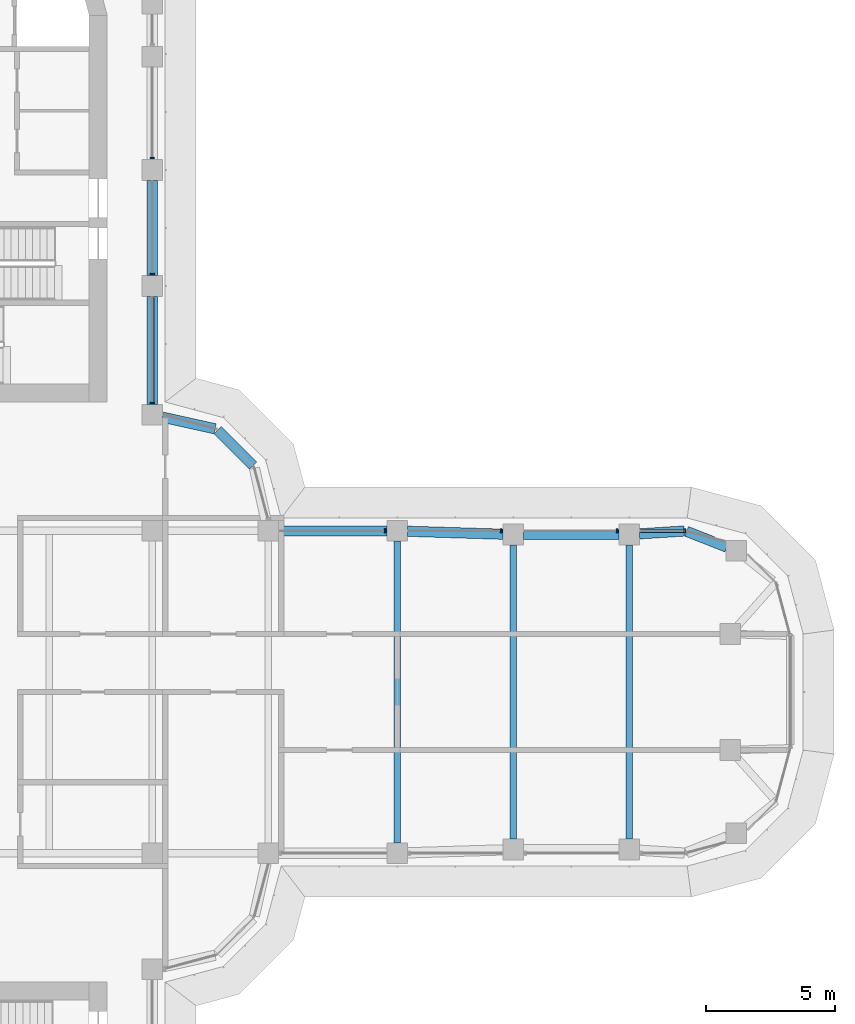
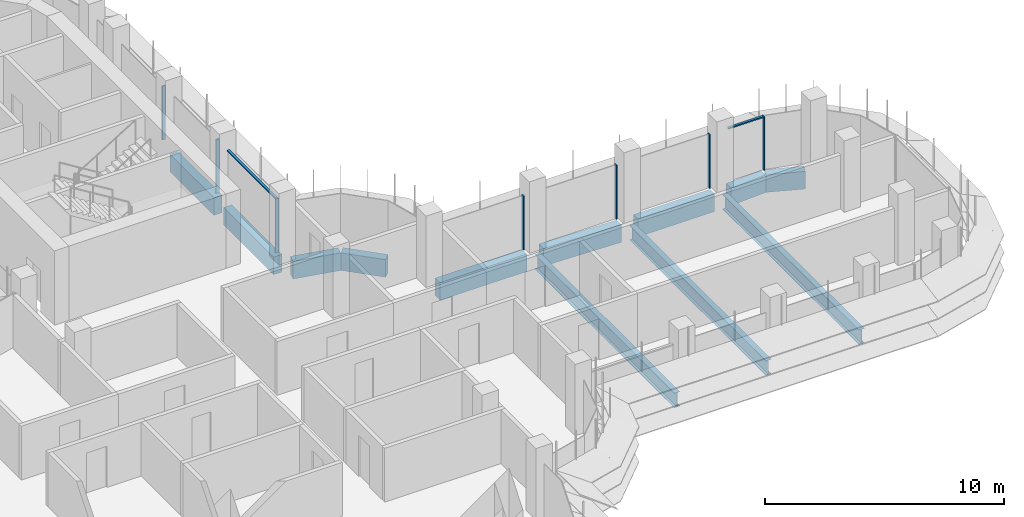
# One storey, part 8 of 19: 12 beams, 9 members, 2 elements without a shape of their own.
"""IFC4 building model written with IfcOpenShell, lengths in metres."""

import ifcopenshell
import ifcopenshell.guid

model = None  # the IFC model being written
_history = None  # IfcOwnerHistory: only IFC2X3 demands one
_inside = {}  # id of a spatial element -> (the spatial element, [elements in it])
_under = {}  # id of a project, library or spatial element -> (it, [spatial elements below it])
_declared = {}  # id of a project -> (the project, [libraries it declares])
_typed = {}  # id of a type object -> (the type object, [elements of that type])
_made_of = {}  # id of a material, layer set ... -> (it, [elements and type objects made of it])


def new_model(schema):
    """Start an empty IFC model of exactly this schema.

    Asked for "IFC4X3", IfcOpenShell would pick the latest addendum, in which some entities
    have other attributes; the version numbers below select the first issue.
    IFC2X3 requires an IfcOwnerHistory on every rooted entity: one is made here for all.
    """
    global model, _history
    if schema == "IFC4X3":
        model = ifcopenshell.file(schema_version=(4, 3, 0, 0))
    else:
        model = ifcopenshell.file(schema=schema)
    _inside.clear()
    _under.clear()
    _declared.clear()
    _typed.clear()
    _made_of.clear()
    _history = None
    if model.schema == "IFC2X3":
        org = make("IfcOrganization", Name="unknown")
        user = make(
            "IfcPersonAndOrganization",
            ThePerson=make("IfcPerson", FamilyName="unknown"),
            TheOrganization=org,
        )
        app = make(
            "IfcApplication",
            ApplicationDeveloper=org,
            Version="unknown",
            ApplicationFullName="unknown",
            ApplicationIdentifier="unknown",
        )
        _history = make(
            "IfcOwnerHistory",
            OwningUser=user,
            OwningApplication=app,
            ChangeAction="ADDED",
            CreationDate=0,
        )
    return model


def make(cls, **values):
    """One entity of the class cls with the attributes given. An attribute that is None is left unset."""
    return model.create_entity(
        cls, **{name: value for name, value in values.items() if value is not None}
    )


def rooted(cls, **values):
    """An entity with a GlobalId (a new one), such as an element, a storey or a relation."""
    return make(cls, GlobalId=ifcopenshell.guid.new(), OwnerHistory=_history, **values)


def si_unit(unit_type, name, prefix=None):
    """IfcSIUnit, for example si_unit("LENGTHUNIT", "METRE", prefix="MILLI")."""
    return make("IfcSIUnit", UnitType=unit_type, Prefix=prefix, Name=name)


def assignment(units):
    """IfcUnitAssignment: the units of a project."""
    return None if units is None else make("IfcUnitAssignment", Units=units)


def point(xyz):
    """IfcCartesianPoint."""
    return None if xyz is None else make("IfcCartesianPoint", Coordinates=xyz)


def direction(xyz):
    """IfcDirection."""
    return None if xyz is None else make("IfcDirection", DirectionRatios=xyz)


def frame(location, z_axis=None, x_axis=None):
    """IfcAxis2Placement3D, a coordinate frame: its origin and axes. An axis left out is left unset."""
    return make(
        "IfcAxis2Placement3D",
        Location=point(location),
        Axis=direction(z_axis),
        RefDirection=direction(x_axis),
    )


def frame_2d(location, x_axis=None):
    """IfcAxis2Placement2D, a coordinate frame in the plane: its origin and x axis."""
    return make(
        "IfcAxis2Placement2D", Location=point(location), RefDirection=direction(x_axis)
    )


def origin():
    """The frame at (0, 0, 0) with its axes left unset."""
    return frame((0.0, 0.0, 0.0))


def origin_2d():
    """The frame at (0, 0) in the plane with its x axis left unset."""
    return frame_2d((0.0, 0.0))


def place(relative_to, where):
    """IfcLocalPlacement: puts the frame where relative to a parent placement (None: the world)."""
    return make(
        "IfcLocalPlacement", PlacementRelTo=relative_to, RelativePlacement=where
    )


def context(
    kind, dimensions, precision=None, world=None, true_north=None, identifier=None
):
    """IfcGeometricRepresentationContext, for example the 3D "Model" context."""
    return make(
        "IfcGeometricRepresentationContext",
        ContextIdentifier=identifier,
        ContextType=kind,
        CoordinateSpaceDimension=dimensions,
        Precision=precision,
        WorldCoordinateSystem=world,
        TrueNorth=true_north,
    )


def subcontext(parent, identifier, kind, view, scale=None):
    """IfcGeometricRepresentationSubContext, for example "Body" below "Model"."""
    return make(
        "IfcGeometricRepresentationSubContext",
        ContextIdentifier=identifier,
        ContextType=kind,
        ParentContext=parent,
        TargetScale=scale,
        TargetView=view,
    )


def project(units=None, contexts=None):
    """IfcProject with its units and contexts."""
    return rooted(
        "IfcProject",
        Name="project",
        RepresentationContexts=contexts,
        UnitsInContext=assignment(units),
    )


def spatial(cls, under=None, at=None, **own):
    """A site, building, storey or space (cls), placed at a placement, below another one or the project."""
    s = rooted(cls, ObjectPlacement=at, **own)
    if under is not None:
        _under.setdefault(under.id(), (under, []))[1].append(s)
    return s


def polyline(points):
    """IfcPolyline through the points."""
    return make("IfcPolyline", Points=[point(p) for p in points])


def profile(cls, at=None, kind="AREA", **sizes):
    """A parametric profile (cls). Its sizes go by their IFC names, for example OverallWidth=200.0."""
    return make(cls, ProfileType=kind, Position=at, **sizes)


def rectangle(**sizes):
    """IfcRectangleProfileDef."""
    return profile("IfcRectangleProfileDef", **sizes)


def i_section(**sizes):
    """IfcIShapeProfileDef."""
    return profile("IfcIShapeProfileDef", **sizes)


def outline(outer, holes=None, kind="AREA"):
    """IfcArbitraryClosedProfileDef: a profile drawn as a closed curve; with holes, ...WithVoids."""
    if holes is None:
        return make("IfcArbitraryClosedProfileDef", ProfileType=kind, OuterCurve=outer)
    return make(
        "IfcArbitraryProfileDefWithVoids",
        ProfileType=kind,
        OuterCurve=outer,
        InnerCurves=holes,
    )


def extrude(swept, where, along, depth):
    """IfcExtrudedAreaSolid: the profile swept, set in the frame where, extruded along a direction by depth."""
    return make(
        "IfcExtrudedAreaSolid",
        SweptArea=swept,
        Position=where,
        ExtrudedDirection=direction(along),
        Depth=depth,
    )


def shape(context_of_items, identifier, shape_type, items):
    """IfcShapeRepresentation: the items that make up one representation, for example the "Body"."""
    return make(
        "IfcShapeRepresentation",
        ContextOfItems=context_of_items,
        RepresentationIdentifier=identifier,
        RepresentationType=shape_type,
        Items=items,
    )


def source(mapping_origin, context_of_items, identifier, shape_type, items):
    """IfcRepresentationMap: a shape defined once, which mapped items show again and again."""
    return make(
        "IfcRepresentationMap",
        MappingOrigin=mapping_origin,
        MappedRepresentation=shape(context_of_items, identifier, shape_type, items),
    )


def transform(
    local_origin,
    x_axis=None,
    y_axis=None,
    z_axis=None,
    scale=None,
    scale2=None,
    scale3=None,
    uniform=True,
):
    """IfcCartesianTransformationOperator3D, or its non-uniform kind. x_axis, y_axis, z_axis: its Axis1, 2, 3."""
    if uniform:
        return make(
            "IfcCartesianTransformationOperator3D",
            Axis1=direction(x_axis),
            Axis2=direction(y_axis),
            LocalOrigin=point(local_origin),
            Scale=scale,
            Axis3=direction(z_axis),
        )
    return make(
        "IfcCartesianTransformationOperator3DnonUniform",
        Axis1=direction(x_axis),
        Axis2=direction(y_axis),
        LocalOrigin=point(local_origin),
        Scale=scale,
        Axis3=direction(z_axis),
        Scale2=scale2,
        Scale3=scale3,
    )


def mapped(mapping_source, mapping_target):
    """IfcMappedItem: shows the shape of a source again, moved by a transform."""
    return make(
        "IfcMappedItem", MappingSource=mapping_source, MappingTarget=mapping_target
    )


def material(Name=None, Category=None):
    """IfcMaterial."""
    return make("IfcMaterial", Name=Name, Category=Category)


def material_profile(
    of_material, cross_section, Name=None, Category=None, Priority=None
):
    """IfcMaterialProfile: a cross section and its material."""
    return make(
        "IfcMaterialProfile",
        Name=Name,
        Material=of_material,
        Profile=cross_section,
        Priority=Priority,
        Category=Category,
    )


def profile_set(profiles, Name=None, composite=None):
    """IfcMaterialProfileSet."""
    return make(
        "IfcMaterialProfileSet",
        Name=Name,
        MaterialProfiles=profiles,
        CompositeProfile=composite,
    )


def made_of(thing, what):
    """Note that an element or type object is made of a material, layer set ...; save() writes the relation."""
    if what is not None:
        _made_of.setdefault(what.id(), (what, []))[1].append(thing)
    return thing


def type_object(cls, material=None, **own):
    """A type object (cls), such as IfcWallType, which elements share."""
    return made_of(rooted(cls, **own), material)


def element(
    cls,
    number,
    at=None,
    inside=None,
    cuts=None,
    type_object=None,
    material=None,
    context=None,
    identifier="Body",
    shape_type=None,
    held_by="IfcProductDefinitionShape",
    body=None,
    shapes=None,
    **own,
):
    """One element of the class cls, such as IfcWall. Its Tag is "e" and its number.

    at: its placement. inside: the storey or other place that contains it. cuts: it is an
    opening in that element (IfcRelVoidsElement). A single representation is given by context,
    identifier, shape_type and body (its items); several are given by shapes. held_by: the class
    of the entity that holds the representations. save() writes the other relations.
    """
    e = rooted(cls, Tag="e%d" % number, ObjectPlacement=at, **own)
    if body is not None:
        shapes = [shape(context, identifier, shape_type, body)]
    if shapes is not None:
        e.Representation = make(held_by, Representations=shapes)
    if inside is not None:
        _inside.setdefault(inside.id(), (inside, []))[1].append(e)
    if cuts is not None:
        rooted(
            "IfcRelVoidsElement", RelatingBuildingElement=cuts, RelatedOpeningElement=e
        )
    if type_object is not None:
        _typed.setdefault(type_object.id(), (type_object, []))[1].append(e)
    return made_of(e, material)


def aggregate(whole, parts):
    """IfcRelAggregates: a whole, such as a stair, and the parts it consists of."""
    return rooted("IfcRelAggregates", RelatingObject=whole, RelatedObjects=parts)


def save(model, path):
    """Write the relations noted so far, then the file.

    IfcRelAggregates (storeys below a building ...), IfcRelContainedInSpatialStructure (elements
    in a storey), IfcRelDefinesByType, IfcRelAssociatesMaterial and IfcRelDeclares: one each for
    every whole, place, type object, material and project.
    """
    for whole, parts in _under.values():
        aggregate(whole, parts)
    for where, things in _inside.values():
        rooted(
            "IfcRelContainedInSpatialStructure",
            RelatedElements=things,
            RelatingStructure=where,
        )
    for kind, things in _typed.values():
        rooted("IfcRelDefinesByType", RelatedObjects=things, RelatingType=kind)
    for what, things in _made_of.values():
        rooted("IfcRelAssociatesMaterial", RelatedObjects=things, RelatingMaterial=what)
    for by, libraries in _declared.values():
        rooted("IfcRelDeclares", RelatingContext=by, RelatedDefinitions=libraries)
    model.write(path)


model = new_model("IFC4")

# Units and contexts
model_context = context("Model", 3, precision=1e-05, world=origin(), true_north=direction((0.0, 1.0)))
body_context = subcontext(model_context, "Body", "Model", "MODEL_VIEW")
ifc_project = project(units=[si_unit("LENGTHUNIT", "METRE"), si_unit("AREAUNIT", "SQUARE_METRE"), si_unit("VOLUMEUNIT", "CUBIC_METRE"), si_unit("PLANEANGLEUNIT", "RADIAN"), si_unit("MASSUNIT", "GRAM", prefix="KILO")], contexts=[model_context])

# Site, building, storey
site_placement = place(None, origin())
site = spatial("IfcSite", under=ifc_project, at=site_placement, CompositionType="ELEMENT")
building_placement = place(site_placement, origin())
building = spatial("IfcBuilding", under=site, at=building_placement, Name="Zarbagh Exchange Tower", CompositionType="ELEMENT")
storey_placement = place(building_placement, frame((0.0, 0.0, 182.800048828125)))
storey = spatial("IfcBuildingStorey", under=building, at=storey_placement, Name="L44", CompositionType="ELEMENT", Elevation=182.800048828125)

# Beams
ifc_material_1 = material(Name="Steel ASTM A992 Gr 50", Category="steel")
ifc_material_profile_1 = material_profile(ifc_material_1, i_section(OverallWidth=0.26416015625, OverallDepth=0.749267578125, WebThickness=0.011962890625, FlangeThickness=0.015380859375, at=origin_2d()), Name="W30X90")
ifc_profile_set_1 = profile_set([ifc_material_profile_1], Name="Steel ASTM A992 Gr 50")
beam_type_1 = type_object("IfcBeamType", Name="Floor beam W30X90", PredefinedType="BEAM", material=ifc_profile_set_1)
beam_1_placement = place(storey_placement, frame((15.75, -5.85009765625, -0.524658203125), z_axis=(0.0, 1.0, 0.0), x_axis=(-1.0, 0.0, 0.0)))
element("IfcBeam", 1, at=beam_1_placement, inside=storey, type_object=beam_type_1, Name="Steel floor beam", PredefinedType="BEAM", context=body_context, shape_type="SweptSolid", body=[
    extrude(i_section(OverallWidth=0.26416015625, OverallDepth=0.749267578125, WebThickness=0.011962890625, FlangeThickness=0.015380859375, at=origin_2d()), origin(), (0.0, 0.0, 1.0), 11.7001953125),
])
for number, where, z_axis, x_axis, name in (
    (2, (20.25, -5.7099609375, -0.524658203125), (0.0, 1.0, 0.0), (-1.0, 0.0, 0.0), "Steel floor beam"),
    (3, (24.75, -5.7099609375, -0.524658203125), (0.0, 1.0, 0.0), (-1.0, 0.0, 0.0), "Steel floor beam"),
):
    element("IfcBeam", number, at=place(storey_placement, frame(where, z_axis=z_axis, x_axis=x_axis)), inside=storey, type_object=beam_type_1, Name=name, PredefinedType="BEAM", context=body_context, shape_type="SweptSolid", body=[
        extrude(i_section(OverallWidth=0.26416015625, OverallDepth=0.749267578125, WebThickness=0.011962890625, FlangeThickness=0.015380859375, at=origin_2d()), origin(), (0.0, 0.0, 1.0), 11.419921875),
    ])
ifc_material_2 = material(Name="Concrete C50/60", Category="concrete")
ifc_material_profile_2 = material_profile(ifc_material_2, rectangle(XDim=0.39990234375, YDim=0.89990234375, at=origin_2d()), Name="RC spandrel beam 400 x 900 C50/60")
ifc_profile_set_2 = profile_set([ifc_material_profile_2], Name="Concrete C50/60")
beam_type_2 = type_object("IfcBeamType", Name="RC spandrel beam 400 x 900 C50/60", PredefinedType="SPANDREL", material=ifc_profile_set_2)
beam_2_placement = place(storey_placement, frame((6.25, 19.85009765625, -0.60009765625), z_axis=(0.0, -1.0, 0.0), x_axis=(1.0, 0.0, 0.0)))
element("IfcBeam", 4, at=beam_2_placement, inside=storey, type_object=beam_type_2, Name="RC spandrel beam", PredefinedType="SPANDREL", context=body_context, shape_type="SweptSolid", body=[
    extrude(rectangle(XDim=0.39990234375, YDim=0.89990234375, at=origin_2d()), origin(), (0.0, 0.0, 1.0), 3.7001953125),
])
beam_3_placement = place(storey_placement, frame((6.25, 15.35009765625, -0.60009765625), z_axis=(0.0, -1.0, 0.0), x_axis=(1.0, 0.0, 0.0)))
element("IfcBeam", 5, at=beam_3_placement, inside=storey, type_object=beam_type_2, Name="RC spandrel beam", PredefinedType="SPANDREL", context=body_context, shape_type="SweptSolid", body=[
    extrude(rectangle(XDim=0.39990234375, YDim=0.89990234375, at=origin_2d()), origin(), (0.0, 0.0, 1.0), 4.2001953125),
])
beam_4_placement = place(storey_placement, frame((6.640625, 10.66357421875, -0.60009765625), z_axis=(0.976384278741, -0.216041061437, 0.0), x_axis=(0.216041061437, 0.976384278741, 0.0)))
element("IfcBeam", 6, at=beam_4_placement, inside=storey, type_object=beam_type_2, Name="RC spandrel beam", PredefinedType="SPANDREL", context=body_context, shape_type="SweptSolid", body=[
    extrude(rectangle(XDim=0.39990234375, YDim=0.89990234375, at=origin_2d()), origin(), (0.0, 0.0, 1.0), 2.0927734375),
])
beam_5_placement = place(storey_placement, frame((8.782470703125, 10.15771484375, -0.60009765625), z_axis=(0.707106781187, -0.707106781187, 0.0), x_axis=(0.707106781187, 0.707106781187, 0.0)))
element("IfcBeam", 7, at=beam_5_placement, inside=storey, type_object=beam_type_2, Name="RC spandrel beam", PredefinedType="SPANDREL", context=body_context, shape_type="SweptSolid", body=[
    extrude(rectangle(XDim=0.39990234375, YDim=0.89990234375, at=origin_2d()), origin(), (0.0, 0.0, 1.0), 1.94482421875),
])
beam_6_placement = place(storey_placement, frame((11.14990234375, 6.25, -0.60009765625), z_axis=(1.0, 0.0, 0.0), x_axis=(0.0, 1.0, 0.0)))
element("IfcBeam", 8, at=beam_6_placement, inside=storey, type_object=beam_type_2, Name="RC spandrel beam", PredefinedType="SPANDREL", context=body_context, shape_type="SweptSolid", body=[
    extrude(rectangle(XDim=0.39990234375, YDim=0.89990234375, at=origin_2d()), origin(), (0.0, 0.0, 1.0), 4.2001953125),
])
beam_7_placement = place(storey_placement, frame((16.14990234375, 6.237548828125, -0.60009765625), z_axis=(0.999515416033, -0.031127690444, 0.0), x_axis=(0.031127690444, 0.999515416033, 0.0)))
element("IfcBeam", 9, at=beam_7_placement, inside=storey, type_object=beam_type_2, Name="RC spandrel beam", PredefinedType="SPANDREL", context=body_context, shape_type="SweptSolid", body=[
    extrude(rectangle(XDim=0.39990234375, YDim=0.89990234375, at=origin_2d()), origin(), (0.0, 0.0, 1.0), 3.701904296875),
])
beam_8_placement = place(storey_placement, frame((20.64990234375, 6.110107421875, -0.60009765625), z_axis=(1.0, 0.0, 0.0), x_axis=(0.0, 1.0, 0.0)))
element("IfcBeam", 10, at=beam_8_placement, inside=storey, type_object=beam_type_2, Name="RC spandrel beam", PredefinedType="SPANDREL", context=body_context, shape_type="SweptSolid", body=[
    extrude(rectangle(XDim=0.39990234375, YDim=0.89990234375, at=origin_2d()), origin(), (0.0, 0.0, 1.0), 3.7001953125),
])
beam_9_placement = place(storey_placement, frame((25.149169921875, 6.135498046875, -0.60009765625), z_axis=(0.997942679773, 0.064112462805, 0.0), x_axis=(-0.064112462805, 0.997942679773, 0.0)))
element("IfcBeam", 11, at=beam_9_placement, inside=storey, type_object=beam_type_2, Name="RC spandrel beam", PredefinedType="SPANDREL", context=body_context, shape_type="SweptSolid", body=[
    extrude(rectangle(XDim=0.39990234375, YDim=0.89990234375, at=origin_2d()), origin(), (0.0, 0.0, 1.0), 1.744140625),
])
beam_10_placement = place(storey_placement, frame((26.9755859375, 6.233642578125, -0.60009765625), z_axis=(0.930818758612, -0.36548110569, 0.0), x_axis=(0.36548110569, 0.930818758612, 0.0)))
element("IfcBeam", 12, at=beam_10_placement, inside=storey, type_object=beam_type_2, Name="RC spandrel beam", PredefinedType="SPANDREL", context=body_context, shape_type="SweptSolid", body=[
    extrude(rectangle(XDim=0.39990234375, YDim=0.89990234375, at=origin_2d()), origin(), (0.0, 0.0, 1.0), 1.676025390625),
])

# Curtain wall, members
ifc_material_3 = material(Name="Anodised aluminium frame and glazing", Category="aluminium")
curtain_wall_type = type_object("IfcCurtainWallType", Name="CWB Ribbon glazing, upper zones", PredefinedType="NOTDEFINED", material=ifc_material_3)
curtain_wall_1_placement = place(storey_placement, origin())
curtain_wall_1 = element("IfcCurtainWall", 13, at=curtain_wall_1_placement, inside=storey, type_object=curtain_wall_type, Name="CWB16 curtain wall", PredefinedType="NOTDEFINED")
ifc_material_4 = material(Name="Anodised aluminium frame", Category="aluminium")
member_type_1 = type_object("IfcMemberType", Name="TRB Transom, anodised aluminium frame", PredefinedType="USERDEFINED", material=ifc_material_4)
shared_shape_1 = source(origin(), body_context, "Body", "SweptSolid", [
    extrude(outline(polyline([(-0.06005859375, -0.06005859375), (0.0, -0.06005859375), (0.0, 0.06005859375), (-0.06005859375, 0.06005859375), (-0.06005859375, -0.06005859375)])), origin(), (0.0, 0.0, 1.0), 1.68408203125),
])
placement = place(storey_placement, origin())
member_1 = element("IfcMember", 14, at=placement, type_object=member_type_1, Name="CWB16 transom 1.1", ObjectType="TRANSOM", PredefinedType="USERDEFINED", context=body_context, shape_type="MappedRepresentation", body=[
    mapped(shared_shape_1, transform((26.874267578125, 6.25, 2.75), x_axis=(0.0, 0.0, 1.0), y_axis=(0.0, 1.0, 0.0), z_axis=(-1.0, 0.0, 0.0))),
])
member_type_2 = type_object("IfcMemberType", Name="MUB Mullion, anodised aluminium frame", PredefinedType="MULLION", material=ifc_material_4)
shared_shape_2 = source(origin(), body_context, "Body", "SweptSolid", [
    extrude(outline(polyline([(0.0, -0.080078125), (0.06005859375, -0.080078125), (0.06005859375, 0.080078125), (0.0, 0.080078125), (0.0, -0.080078125)])), origin(), (0.0, 0.0, 1.0), 2.75),
])
member_2 = element("IfcMember", 15, at=placement, type_object=member_type_2, Name="CWB16 mullion 1.1", PredefinedType="MULLION", context=body_context, shape_type="MappedRepresentation", body=[
    mapped(shared_shape_2, transform((26.93408203125, 6.25, 0.0), x_axis=(-1.0, 0.0, 0.0), y_axis=(0.0, -1.0, 0.0), z_axis=(0.0, 0.0, 1.0))),
])
member_3 = element("IfcMember", 16, at=placement, type_object=member_type_2, Name="CWB16 mullion 2.1", PredefinedType="MULLION", context=body_context, shape_type="MappedRepresentation", body=[
    mapped(shared_shape_2, transform((24.31005859375, 6.25, 0.0), x_axis=(-1.0, 0.0, 0.0), y_axis=(0.0, -1.0, 0.0), z_axis=(0.0, 0.0, 1.0))),
])
member_4 = element("IfcMember", 17, at=placement, type_object=member_type_2, Name="CWB16 mullion 3.1", PredefinedType="MULLION", context=body_context, shape_type="MappedRepresentation", body=[
    mapped(shared_shape_2, transform((19.81005859375, 6.25, 0.0), x_axis=(-1.0, 0.0, 0.0), y_axis=(0.0, -1.0, 0.0), z_axis=(0.0, 0.0, 1.0))),
])
member_5 = element("IfcMember", 18, at=placement, type_object=member_type_2, Name="CWB16 mullion 4.1", PredefinedType="MULLION", context=body_context, shape_type="MappedRepresentation", body=[
    mapped(shared_shape_2, transform((15.31005859375, 6.25, 0.0), x_axis=(-1.0, 0.0, 0.0), y_axis=(0.0, -1.0, 0.0), z_axis=(0.0, 0.0, 1.0))),
])
aggregate(curtain_wall_1, [member_2, member_1, member_3, member_4, member_5])

curtain_wall_2_placement = place(storey_placement, origin())
curtain_wall_2 = element("IfcCurtainWall", 19, at=curtain_wall_2_placement, inside=storey, type_object=curtain_wall_type, Name="CWB20 curtain wall", PredefinedType="NOTDEFINED")
member_6 = element("IfcMember", 20, at=placement, type_object=member_type_2, Name="CWB20 mullion 1.1", PredefinedType="MULLION", context=body_context, shape_type="MappedRepresentation", body=[
    mapped(shared_shape_2, transform((6.25, 11.18994140625, 0.0), x_axis=(0.0, 1.0, 0.0), y_axis=(-1.0, 0.0, 0.0), z_axis=(0.0, 0.0, 1.0))),
])
member_7 = element("IfcMember", 21, at=placement, type_object=member_type_2, Name="CWB20 mullion 2.1", PredefinedType="MULLION", context=body_context, shape_type="MappedRepresentation", body=[
    mapped(shared_shape_2, transform((6.25, 16.18994140625, 0.0), x_axis=(0.0, 1.0, 0.0), y_axis=(-1.0, 0.0, 0.0), z_axis=(0.0, 0.0, 1.0))),
])
member_8 = element("IfcMember", 22, at=placement, type_object=member_type_2, Name="CWB20 mullion 3.1", PredefinedType="MULLION", context=body_context, shape_type="MappedRepresentation", body=[
    mapped(shared_shape_2, transform((6.25, 20.68994140625, 0.0), x_axis=(0.0, 1.0, 0.0), y_axis=(-1.0, 0.0, 0.0), z_axis=(0.0, 0.0, 1.0))),
])
shared_shape_3 = source(origin(), body_context, "Body", "SweptSolid", [
    extrude(outline(polyline([(-0.06005859375, -0.06005859375), (0.0, -0.06005859375), (0.0, 0.06005859375), (-0.06005859375, 0.06005859375), (-0.06005859375, -0.06005859375)])), origin(), (0.0, 0.0, 1.0), 4.06005859375),
])
member_9 = element("IfcMember", 23, at=placement, type_object=member_type_1, Name="CWB20 transom 1.1", ObjectType="TRANSOM", PredefinedType="USERDEFINED", context=body_context, shape_type="MappedRepresentation", body=[
    mapped(shared_shape_3, transform((6.25, 11.25, 2.75), x_axis=(0.0, 0.0, 1.0), y_axis=(1.0, 0.0, 0.0), z_axis=(0.0, 1.0, 0.0))),
])
aggregate(curtain_wall_2, [member_6, member_9, member_7, member_8])

save(model, "model.ifc")
